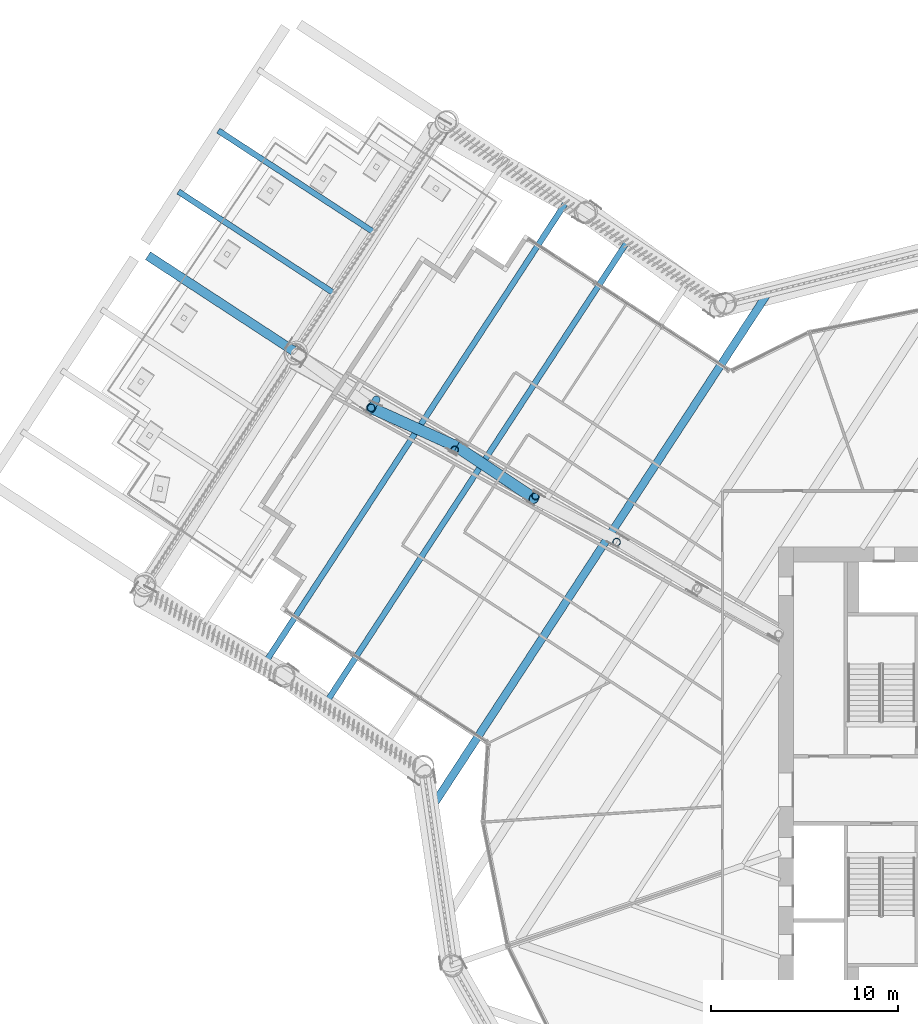
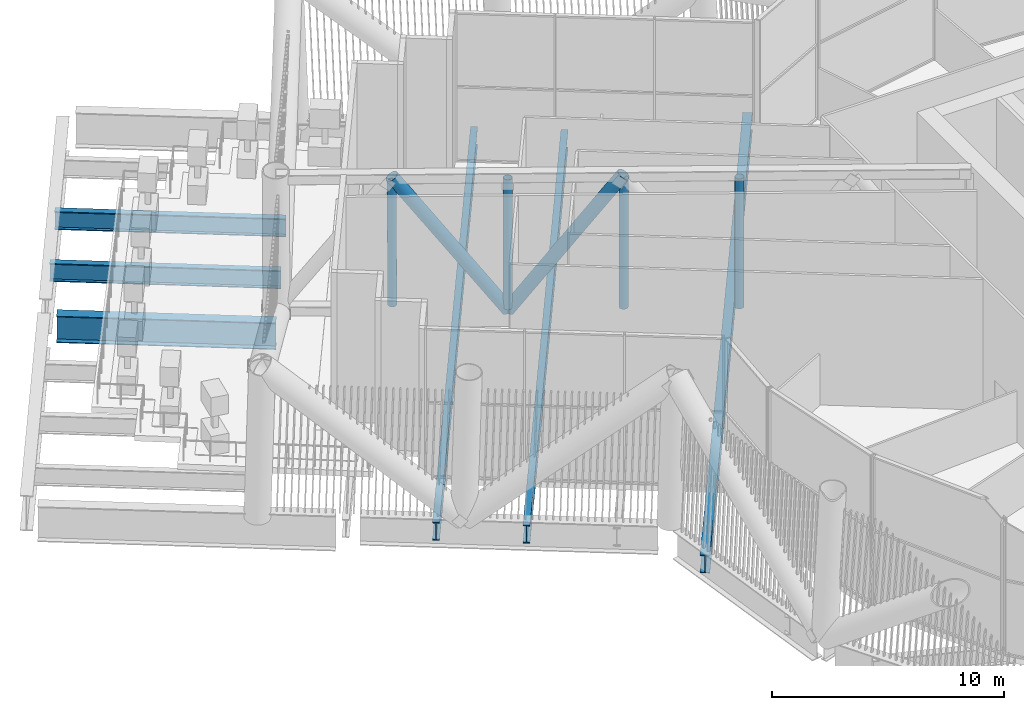
# One storey, part 26 of 63: 6 beams, 6 members.
"""IFC4 building model written with IfcOpenShell, lengths in metres."""

from ifc_helpers import new_model, si_unit, direction, frame, origin, origin_2d, place, context, subcontext, project, spatial, hollow_circle, i_section, extrude, material, material_profile, profile_set, type_object, element, save


model = new_model("IFC4")

# Units and contexts
model_context = context("Model", 3, precision=1e-05, world=origin(), true_north=direction((0.0, 1.0)))
body_context = subcontext(model_context, "Body", "Model", "MODEL_VIEW")
ifc_project = project(units=[si_unit("LENGTHUNIT", "METRE"), si_unit("AREAUNIT", "SQUARE_METRE"), si_unit("VOLUMEUNIT", "CUBIC_METRE"), si_unit("PLANEANGLEUNIT", "RADIAN"), si_unit("MASSUNIT", "GRAM", prefix="KILO")], contexts=[model_context])

# Site, building, storey
site_placement = place(None, origin())
site = spatial("IfcSite", under=ifc_project, at=site_placement, CompositionType="ELEMENT")
building_placement = place(site_placement, origin())
building = spatial("IfcBuilding", under=site, at=building_placement, Name="Tarsis Ring Headquarters", CompositionType="ELEMENT")
storey_placement = place(building_placement, frame((0.0, 0.0, 139.60009765625)))
storey = spatial("IfcBuildingStorey", under=building, at=storey_placement, Name="L32", CompositionType="ELEMENT", Elevation=139.60009765625)

# Beams
ifc_material = material(Name="Structural steel S355", Category="steel")
ifc_material_profile_1 = material_profile(ifc_material, i_section(OverallWidth=0.309814453125, OverallDepth=0.949951171875, WebThickness=0.0244140625, FlangeThickness=0.0439453125, at=origin_2d()), Name="W36x256")
ifc_profile_set_1 = profile_set([ifc_material_profile_1], Name="Structural steel S355")
beam_type_1 = type_object("IfcBeamType", Name="FB Floor beam W36x256", PredefinedType="JOIST", material=ifc_profile_set_1)
for number, where, z_axis, x_axis, name in (
    (1, (-17.977294921875, 29.526611328125, -0.775146484375), (-0.546975788943, -0.837148425496, 0.0), (0.837148425496, -0.546975788943, 0.0), "Floor beam FB11"),
    (2, (-21.241943359375, 31.659912109375, -0.775146484375), (-0.546981536242, -0.837144670299, 0.0), (0.837144670299, -0.546981536242, 0.0), "Floor beam FB11"),
):
    element("IfcBeam", number, at=place(storey_placement, frame(where, z_axis=z_axis, x_axis=x_axis)), inside=storey, type_object=beam_type_1, Name=name, PredefinedType="JOIST", context=body_context, shape_type="SweptSolid", body=[
        extrude(i_section(OverallWidth=0.309814453125, OverallDepth=0.949951171875, WebThickness=0.0244140625, FlangeThickness=0.0439453125, at=origin_2d()), origin(), (0.0, 0.0, 1.0), 29.77001953125),
    ])
ifc_material_profile_2 = material_profile(ifc_material, i_section(OverallWidth=0.42431640625, OverallDepth=0.947509765625, WebThickness=0.02392578125, FlangeThickness=0.042724609375, at=origin_2d()), Name="W36x302")
ifc_profile_set_2 = profile_set([ifc_material_profile_2], Name="Structural steel S355")
beam_type_2 = type_object("IfcBeamType", Name="FB Floor beam W36x302", PredefinedType="JOIST", material=ifc_profile_set_2)
beam_1_placement = place(storey_placement, frame((-10.5087890625, 26.696533203125, -0.773681640625), z_axis=(-0.546983599413, -0.837143322241, 0.0), x_axis=(0.837143322241, -0.546983599413, 0.0)))
element("IfcBeam", 3, at=beam_1_placement, inside=storey, type_object=beam_type_2, Name="Floor beam FB12", PredefinedType="JOIST", context=body_context, shape_type="SweptSolid", body=[
    extrude(i_section(OverallWidth=0.42431640625, OverallDepth=0.947509765625, WebThickness=0.02392578125, FlangeThickness=0.042724609375, at=origin_2d()), origin(), (0.0, 0.0, 1.0), 33.29345703125),
])

# Members
ifc_material_profile_3 = material_profile(ifc_material, hollow_circle(Radius=0.3046875, WallThickness=0.02490234375, at=origin_2d()), Name="CHS 610x25")
ifc_profile_set_3 = profile_set([ifc_material_profile_3], Name="Structural steel S355")
member_type_1 = type_object("IfcMemberType", Name="OD Outrigger diagonal CHS 610x25", PredefinedType="BRACE", material=ifc_profile_set_3)
member_1_placement = place(storey_placement, frame((-23.087158203125, 15.6005859375, 7.5859375), z_axis=(-0.467084973146, 0.312519204569, -0.827141689577), x_axis=(-0.556090486007, -0.831121754842, 0.0)))
element("IfcMember", 4, at=member_1_placement, inside=storey, type_object=member_type_1, Name="Outrigger diagonal OD1", PredefinedType="BRACE", context=body_context, shape_type="SweptSolid", body=[
    extrude(hollow_circle(Radius=0.3046875, WallThickness=0.02490234375, at=origin_2d()), origin(), (0.0, 0.0, 1.0), 8.8642578125),
])
member_2_placement = place(storey_placement, frame((-27.2275390625, 18.370849609375, 0.25390625), z_axis=(-0.515474759051, 0.233745211062, 0.824408241763), x_axis=(-0.412980594724, -0.910739824748, 0.0)))
element("IfcMember", 5, at=member_2_placement, inside=storey, type_object=member_type_1, Name="Outrigger diagonal OD1", PredefinedType="BRACE", context=body_context, shape_type="SweptSolid", body=[
    extrude(hollow_circle(Radius=0.3046875, WallThickness=0.02490234375, at=origin_2d()), origin(), (0.0, 0.0, 1.0), 8.893798828125),
])
ifc_material_profile_4 = material_profile(ifc_material, hollow_circle(Radius=0.203125, WallThickness=0.01611328125, at=origin_2d()), Name="CHS 406x16")
ifc_profile_set_4 = profile_set([ifc_material_profile_4], Name="Structural steel S355")
member_type_2 = type_object("IfcMemberType", Name="OV Outrigger post CHS 406x16", PredefinedType="STRUT", material=ifc_profile_set_4)
for number, where, z_axis, x_axis, name in (
    (6, (-18.669189453125, 13.26220703125, 0.5078125), (0.0, 0.0, 1.0), (1.0, 0.0, 0.0), "Outrigger post OV1"),
    (7, (-23.00390625, 15.730224609375, 0.5078125), (0.0, 0.0, 1.0), (1.0, 0.0, 0.0), "Outrigger post OV1"),
    (8, (-27.338623046875, 18.197998046875, 0.5078125), (0.0, 0.0, 1.0), (1.0, 0.0, 0.0), "Outrigger post OV1"),
):
    element("IfcMember", number, at=place(storey_placement, frame(where, z_axis=z_axis, x_axis=x_axis)), inside=storey, type_object=member_type_2, Name=name, PredefinedType="STRUT", context=body_context, shape_type="SweptSolid", body=[
        extrude(hollow_circle(Radius=0.203125, WallThickness=0.01611328125, at=origin_2d()), origin(), (0.0, 0.0, 1.0), 6.823974609375),
    ])
member_3_placement = place(storey_placement, frame((-31.534423828125, 20.8818359375, 0.5078125), z_axis=(-0.040563599938, -0.063146501223, 0.997179579486), x_axis=(0.841363759726, -0.540469262604, 0.0)))
element("IfcMember", 9, at=member_3_placement, inside=storey, type_object=member_type_2, Name="Outrigger post OV1", PredefinedType="STRUT", context=body_context, shape_type="SweptSolid", body=[
    extrude(hollow_circle(Radius=0.203125, WallThickness=0.01611328125, at=origin_2d()), origin(), (0.0, 0.0, 1.0), 6.84326171875),
])

# Beams
beam_type_3 = type_object("IfcBeamType", Name="TB Transfer beam W36x256", PredefinedType="BEAM", material=ifc_profile_set_1)
for number, where, z_axis, x_axis, name in (
    (10, (-42.1279296875, 32.026123046875, -0.775146484375), (0.837142129337, -0.546985425116, 0.0), (0.546985425116, 0.837142129337, 0.0), "Transfer beam TB11"),
    (11, (-39.994873046875, 35.291015625, -0.775146484375), (0.837149455711, -0.546974212192, 0.0), (0.546974212192, 0.837149455711, 0.0), "Transfer beam TB11"),
):
    element("IfcBeam", number, at=place(storey_placement, frame(where, z_axis=z_axis, x_axis=x_axis)), inside=storey, type_object=beam_type_3, Name=name, PredefinedType="BEAM", context=body_context, shape_type="SweptSolid", body=[
        extrude(i_section(OverallWidth=0.309814453125, OverallDepth=0.949951171875, WebThickness=0.0244140625, FlangeThickness=0.0439453125, at=origin_2d()), origin(), (0.0, 0.0, 1.0), 9.969970703125),
    ])
ifc_material_profile_5 = material_profile(ifc_material, i_section(OverallWidth=0.5, OverallDepth=1.39990234375, WebThickness=0.030029296875, FlangeThickness=0.0400390625, at=origin_2d()), Name="PG 1400x500x30x40")
ifc_profile_set_5 = profile_set([ifc_material_profile_5], Name="Structural steel S355")
beam_type_4 = type_object("IfcBeamType", Name="XG Ring girder PG 1400x500x30x40", PredefinedType="BEAM", material=ifc_profile_set_5)
beam_2_placement = place(storey_placement, frame((-43.76123046875, 28.593017578125, -1.050048828125), z_axis=(0.837140987457, -0.54698717272, 0.0), x_axis=(0.54698717272, 0.837140987457, 0.0)))
element("IfcBeam", 12, at=beam_2_placement, inside=storey, type_object=beam_type_4, Name="Ring girder XG7", PredefinedType="BEAM", context=body_context, shape_type="SweptSolid", body=[
    extrude(i_section(OverallWidth=0.5, OverallDepth=1.39990234375, WebThickness=0.030029296875, FlangeThickness=0.0400390625, at=origin_2d()), origin(), (0.0, 0.0, 1.0), 9.459228515625),
])

save(model, "model.ifc")
